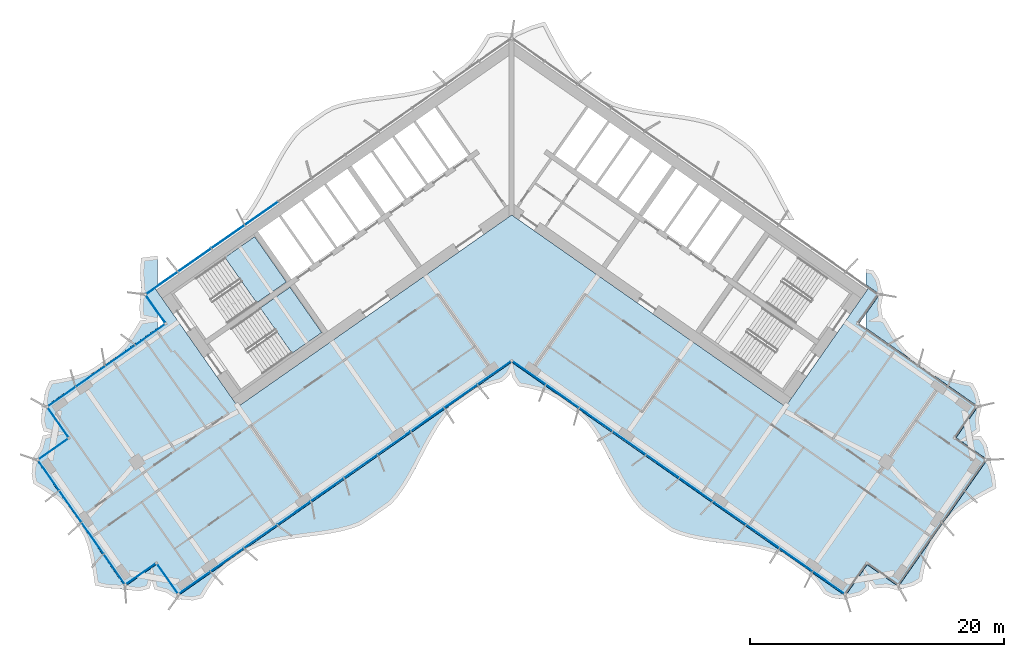
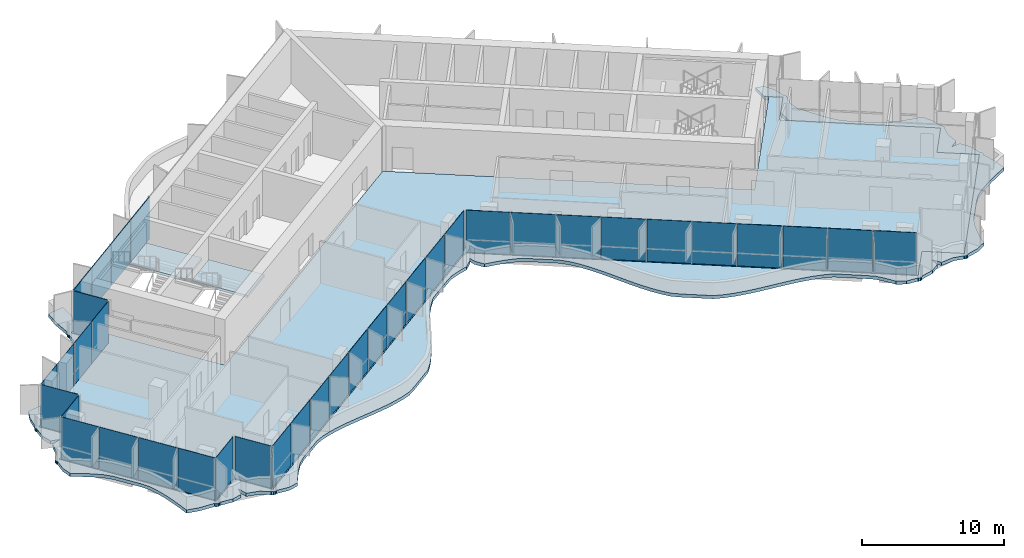
# One storey, part 12 of 23: 37 plates, 4 slabs, 4 elements without a shape of their own.
"""IFC4 building model written with IfcOpenShell, lengths in metres."""

from ifc_helpers import new_model, si_unit, direction, frame, origin, origin_2d, place, context, subcontext, project, spatial, polyline, rectangle, outline, extrude, material, layer, layer_set, type_object, element, aggregate, save


model = new_model("IFC4")

# Units and contexts
model_context = context("Model", 3, precision=1e-05, world=origin(), true_north=direction((0.0, 1.0)))
body_context = subcontext(model_context, "Body", "Model", "MODEL_VIEW")
ifc_project = project(units=[si_unit("LENGTHUNIT", "METRE"), si_unit("AREAUNIT", "SQUARE_METRE"), si_unit("VOLUMEUNIT", "CUBIC_METRE"), si_unit("PLANEANGLEUNIT", "RADIAN"), si_unit("MASSUNIT", "GRAM", prefix="KILO")], contexts=[model_context])

# Site, building, storey
site_placement = place(None, origin())
site = spatial("IfcSite", under=ifc_project, at=site_placement, CompositionType="ELEMENT")
building_placement = place(site_placement, origin())
building = spatial("IfcBuilding", under=site, at=building_placement, Name="Tel Ilan Convention Tower", CompositionType="ELEMENT")
storey_placement = place(building_placement, frame((0.0, 0.0, 174.89990234375)))
storey = spatial("IfcBuildingStorey", under=building, at=storey_placement, Name="L40", CompositionType="ELEMENT", Elevation=174.89990234375)

# Curtain wall, plates
ifc_material_1 = material(Name="Aluminium, bronze anodised", Category="aluminium")
curtain_wall_type_1 = type_object("IfcCurtainWallType", Name="CW4 STICK CURTAIN WALL, OFFICE TINTED GLASS", PredefinedType="NOTDEFINED", material=ifc_material_1)
curtain_wall_1_placement = place(storey_placement, origin())
curtain_wall_1 = element("IfcCurtainWall", 1, at=curtain_wall_1_placement, inside=storey, type_object=curtain_wall_type_1, Name="Curtain wall CW4-31.02", PredefinedType="NOTDEFINED")
ifc_material_2 = material(Name="Glass, bronze tinted, two-ply", Category="glass")
ifc_layer_1 = layer(ifc_material_2, 0.028076171875)
ifc_layer_set_1 = layer_set([ifc_layer_1], Name="CW GLASS PANEL 28")
plate_type_1 = type_object("IfcPlateType", Name="CW GLASS PANEL 28", PredefinedType="CURTAIN_PANEL", material=ifc_layer_set_1)
plate_1_placement = place(storey_placement, frame((-28.450927734375, -10.6435546875, 0.0), z_axis=(0.0, 0.0, 1.0), x_axis=(-0.819152044289, -0.573576436351, 0.0)))
plate_1 = element("IfcPlate", 2, at=plate_1_placement, type_object=plate_type_1, Name="Glass panel", PredefinedType="CURTAIN_PANEL", context=body_context, shape_type="SweptSolid", body=[
    extrude(rectangle(XDim=2.819091796875, YDim=0.028076171875, at=origin_2d()), origin(), (0.0, 0.0, 1.0), 3.6201171875),
])
plate_2_placement = place(storey_placement, frame((-30.79736328125, -12.28662109375, 0.0), z_axis=(0.0, 0.0, 1.0), x_axis=(-0.819152044289, -0.573576436351, 0.0)))
plate_2 = element("IfcPlate", 3, at=plate_2_placement, type_object=plate_type_1, Name="Glass panel", PredefinedType="CURTAIN_PANEL", context=body_context, shape_type="SweptSolid", body=[
    extrude(rectangle(XDim=2.7900390625, YDim=0.028076171875, at=origin_2d()), origin(), (0.0, 0.0, 1.0), 3.6201171875),
])
plate_3_placement = place(storey_placement, frame((-33.1318359375, -13.92138671875, 0.0), z_axis=(0.0, 0.0, 1.0), x_axis=(-0.819152044289, -0.573576436351, 0.0)))
plate_3 = element("IfcPlate", 4, at=plate_3_placement, type_object=plate_type_1, Name="Glass panel", PredefinedType="CURTAIN_PANEL", context=body_context, shape_type="SweptSolid", body=[
    extrude(rectangle(XDim=2.7900390625, YDim=0.028076171875, at=origin_2d()), origin(), (0.0, 0.0, 1.0), 3.6201171875),
])
plate_4_placement = place(storey_placement, frame((-35.427978515625, -15.529052734375, 0.0), z_axis=(0.0, 0.0, 1.0), x_axis=(-0.819152044289, -0.573576436351, 0.0)))
plate_4 = element("IfcPlate", 5, at=plate_4_placement, type_object=plate_type_1, Name="Glass panel", PredefinedType="CURTAIN_PANEL", context=body_context, shape_type="SweptSolid", body=[
    extrude(rectangle(XDim=2.696044921875, YDim=0.028076171875, at=origin_2d()), origin(), (0.0, 0.0, 1.0), 3.6201171875),
])
plate_5_placement = place(storey_placement, frame((-35.713623046875, -17.51318359375, 0.0), z_axis=(0.0, 0.0, 1.0), x_axis=(0.573576436351, -0.819152044289, 0.0)))
plate_5 = element("IfcPlate", 6, at=plate_5_placement, type_object=plate_type_1, Name="Glass panel", PredefinedType="CURTAIN_PANEL", context=body_context, shape_type="SweptSolid", body=[
    extrude(rectangle(XDim=2.875, YDim=0.028076171875, at=origin_2d()), origin(), (0.0, 0.0, 1.0), 3.6201171875),
])
plate_6_placement = place(storey_placement, frame((-36.09130859375, -19.656005859375, 0.0), z_axis=(0.0, 0.0, 1.0), x_axis=(-0.819152044289, -0.573576436351, 0.0)))
plate_6 = element("IfcPlate", 7, at=plate_6_placement, type_object=plate_type_1, Name="Glass panel", PredefinedType="CURTAIN_PANEL", context=body_context, shape_type="SweptSolid", body=[
    extrude(rectangle(XDim=2.875, YDim=0.028076171875, at=origin_2d()), origin(), (0.0, 0.0, 1.0), 3.6201171875),
])
plate_7_placement = place(storey_placement, frame((-36.4443359375, -21.699951171875, 0.0), z_axis=(0.0, 0.0, 1.0), x_axis=(0.573576436351, -0.819152044289, 0.0)))
plate_7 = element("IfcPlate", 8, at=plate_7_placement, type_object=plate_type_1, Name="Glass panel", PredefinedType="CURTAIN_PANEL", context=body_context, shape_type="SweptSolid", body=[
    extrude(rectangle(XDim=2.89599609375, YDim=0.028076171875, at=origin_2d()), origin(), (0.0, 0.0, 1.0), 3.6201171875),
])
plate_8_placement = place(storey_placement, frame((-34.721923828125, -24.159912109375, 0.0), z_axis=(0.0, 0.0, 1.0), x_axis=(0.573576436351, -0.819152044289, 0.0)))
plate_8 = element("IfcPlate", 9, at=plate_8_placement, type_object=plate_type_1, Name="Glass panel", PredefinedType="CURTAIN_PANEL", context=body_context, shape_type="SweptSolid", body=[
    extrude(rectangle(XDim=2.989990234375, YDim=0.028076171875, at=origin_2d()), origin(), (0.0, 0.0, 1.0), 3.6201171875),
])
plate_9_placement = place(storey_placement, frame((-32.972412109375, -26.658203125, 0.0), z_axis=(0.0, 0.0, 1.0), x_axis=(0.573576436351, -0.819152044289, 0.0)))
plate_9 = element("IfcPlate", 10, at=plate_9_placement, type_object=plate_type_1, Name="Glass panel", PredefinedType="CURTAIN_PANEL", context=body_context, shape_type="SweptSolid", body=[
    extrude(rectangle(XDim=2.989990234375, YDim=0.028076171875, at=origin_2d()), origin(), (0.0, 0.0, 1.0), 3.6201171875),
])
plate_10_placement = place(storey_placement, frame((-31.25, -29.1181640625, 0.0), z_axis=(0.0, 0.0, 1.0), x_axis=(0.573576436351, -0.819152044289, 0.0)))
plate_10 = element("IfcPlate", 11, at=plate_10_placement, type_object=plate_type_1, Name="Glass panel", PredefinedType="CURTAIN_PANEL", context=body_context, shape_type="SweptSolid", body=[
    extrude(rectangle(XDim=2.89599609375, YDim=0.028076171875, at=origin_2d()), origin(), (0.0, 0.0, 1.0), 3.6201171875),
])
plate_11_placement = place(storey_placement, frame((-29.20849609375, -29.48583984375, 0.0), z_axis=(0.0, 0.0, 1.0), x_axis=(0.819152044289, 0.573576436351, 0.0)))
plate_11 = element("IfcPlate", 12, at=plate_11_placement, type_object=plate_type_1, Name="Glass panel", PredefinedType="CURTAIN_PANEL", context=body_context, shape_type="SweptSolid", body=[
    extrude(rectangle(XDim=2.875, YDim=0.028076171875, at=origin_2d()), origin(), (0.0, 0.0, 1.0), 3.6201171875),
])
plate_12_placement = place(storey_placement, frame((-27.065673828125, -29.863525390625, 0.0), z_axis=(0.0, 0.0, 1.0), x_axis=(0.573576436351, -0.819152044289, 0.0)))
plate_12 = element("IfcPlate", 13, at=plate_12_placement, type_object=plate_type_1, Name="Glass panel", PredefinedType="CURTAIN_PANEL", context=body_context, shape_type="SweptSolid", body=[
    extrude(rectangle(XDim=2.875, YDim=0.028076171875, at=origin_2d()), origin(), (0.0, 0.0, 1.0), 3.6201171875),
])
plate_13_placement = place(storey_placement, frame((-24.958251953125, -30.172119140625, 0.0), z_axis=(0.0, 0.0, 1.0), x_axis=(0.819152044289, 0.573576436351, 0.0)))
plate_13 = element("IfcPlate", 14, at=plate_13_placement, type_object=plate_type_1, Name="Glass panel", PredefinedType="CURTAIN_PANEL", context=body_context, shape_type="SweptSolid", body=[
    extrude(rectangle(XDim=3.05078125, YDim=0.028076171875, at=origin_2d()), origin(), (0.0, 0.0, 1.0), 3.6201171875),
])
plate_14_placement = place(storey_placement, frame((-22.37158203125, -28.36083984375, 0.0), z_axis=(0.0, 0.0, 1.0), x_axis=(0.819152044289, 0.573576436351, 0.0)))
plate_14 = element("IfcPlate", 15, at=plate_14_placement, type_object=plate_type_1, Name="Glass panel", PredefinedType="CURTAIN_PANEL", context=body_context, shape_type="SweptSolid", body=[
    extrude(rectangle(XDim=3.144775390625, YDim=0.028076171875, at=origin_2d()), origin(), (0.0, 0.0, 1.0), 3.6201171875),
])
plate_15_placement = place(storey_placement, frame((-19.746337890625, -26.522705078125, 0.0), z_axis=(0.0, 0.0, 1.0), x_axis=(0.819152044289, 0.573576436351, 0.0)))
plate_15 = element("IfcPlate", 16, at=plate_15_placement, type_object=plate_type_1, Name="Glass panel", PredefinedType="CURTAIN_PANEL", context=body_context, shape_type="SweptSolid", body=[
    extrude(rectangle(XDim=3.144775390625, YDim=0.028076171875, at=origin_2d()), origin(), (0.0, 0.0, 1.0), 3.6201171875),
])
plate_16_placement = place(storey_placement, frame((-17.12109375, -24.684326171875, 0.0), z_axis=(0.0, 0.0, 1.0), x_axis=(0.819152044289, 0.573576436351, 0.0)))
plate_16 = element("IfcPlate", 17, at=plate_16_placement, type_object=plate_type_1, Name="Glass panel", PredefinedType="CURTAIN_PANEL", context=body_context, shape_type="SweptSolid", body=[
    extrude(rectangle(XDim=3.144775390625, YDim=0.028076171875, at=origin_2d()), origin(), (0.0, 0.0, 1.0), 3.6201171875),
])
plate_17_placement = place(storey_placement, frame((-14.49609375, -22.84619140625, 0.0), z_axis=(0.0, 0.0, 1.0), x_axis=(0.819152044289, 0.573576436351, 0.0)))
plate_17 = element("IfcPlate", 18, at=plate_17_placement, type_object=plate_type_1, Name="Glass panel", PredefinedType="CURTAIN_PANEL", context=body_context, shape_type="SweptSolid", body=[
    extrude(rectangle(XDim=3.144775390625, YDim=0.028076171875, at=origin_2d()), origin(), (0.0, 0.0, 1.0), 3.6201171875),
])
plate_18_placement = place(storey_placement, frame((-11.870849609375, -21.008056640625, 0.0), z_axis=(0.0, 0.0, 1.0), x_axis=(0.819152044289, 0.573576436351, 0.0)))
plate_18 = element("IfcPlate", 19, at=plate_18_placement, type_object=plate_type_1, Name="Glass panel", PredefinedType="CURTAIN_PANEL", context=body_context, shape_type="SweptSolid", body=[
    extrude(rectangle(XDim=3.144775390625, YDim=0.028076171875, at=origin_2d()), origin(), (0.0, 0.0, 1.0), 3.6201171875),
])
plate_19_placement = place(storey_placement, frame((-9.24560546875, -19.169921875, 0.0), z_axis=(0.0, 0.0, 1.0), x_axis=(0.819152044289, 0.573576436351, 0.0)))
plate_19 = element("IfcPlate", 20, at=plate_19_placement, type_object=plate_type_1, Name="Glass panel", PredefinedType="CURTAIN_PANEL", context=body_context, shape_type="SweptSolid", body=[
    extrude(rectangle(XDim=3.144775390625, YDim=0.028076171875, at=origin_2d()), origin(), (0.0, 0.0, 1.0), 3.6201171875),
])
plate_20_placement = place(storey_placement, frame((-6.620361328125, -17.331787109375, 0.0), z_axis=(0.0, 0.0, 1.0), x_axis=(0.819152044289, 0.573576436351, 0.0)))
plate_20 = element("IfcPlate", 21, at=plate_20_placement, type_object=plate_type_1, Name="Glass panel", PredefinedType="CURTAIN_PANEL", context=body_context, shape_type="SweptSolid", body=[
    extrude(rectangle(XDim=3.144775390625, YDim=0.028076171875, at=origin_2d()), origin(), (0.0, 0.0, 1.0), 3.6201171875),
])
plate_21_placement = place(storey_placement, frame((-3.9951171875, -15.493408203125, 0.0), z_axis=(0.0, 0.0, 1.0), x_axis=(0.819152044289, 0.573576436351, 0.0)))
plate_21 = element("IfcPlate", 22, at=plate_21_placement, type_object=plate_type_1, Name="Glass panel", PredefinedType="CURTAIN_PANEL", context=body_context, shape_type="SweptSolid", body=[
    extrude(rectangle(XDim=3.144775390625, YDim=0.028076171875, at=origin_2d()), origin(), (0.0, 0.0, 1.0), 3.6201171875),
])
plate_22_placement = place(storey_placement, frame((-1.370361328125, -13.655517578125, 0.0), z_axis=(0.0, 0.0, 1.0), x_axis=(0.819152044289, 0.573576436351, 0.0)))
plate_22 = element("IfcPlate", 23, at=plate_22_placement, type_object=plate_type_1, Name="Glass panel", PredefinedType="CURTAIN_PANEL", context=body_context, shape_type="SweptSolid", body=[
    extrude(rectangle(XDim=3.143798828125, YDim=0.028076171875, at=origin_2d()), origin(), (0.0, 0.0, 1.0), 3.6201171875),
])
plate_23_placement = place(storey_placement, frame((1.3818359375, -13.66357421875, 0.0), z_axis=(0.0, 0.0, 1.0), x_axis=(0.819152044289, -0.573576436351, 0.0)))
plate_23 = element("IfcPlate", 24, at=plate_23_placement, type_object=plate_type_1, Name="Glass panel", PredefinedType="CURTAIN_PANEL", context=body_context, shape_type="SweptSolid", body=[
    extrude(rectangle(XDim=3.11572265625, YDim=0.028076171875, at=origin_2d()), origin(), (0.0, 0.0, 1.0), 3.6201171875),
])
plate_24_placement = place(storey_placement, frame((3.9951171875, -15.493408203125, 0.0), z_axis=(0.0, 0.0, 1.0), x_axis=(0.819152044289, -0.573576436351, 0.0)))
plate_24 = element("IfcPlate", 25, at=plate_24_placement, type_object=plate_type_1, Name="Glass panel", PredefinedType="CURTAIN_PANEL", context=body_context, shape_type="SweptSolid", body=[
    extrude(rectangle(XDim=3.144775390625, YDim=0.028076171875, at=origin_2d()), origin(), (0.0, 0.0, 1.0), 3.6201171875),
])
plate_25_placement = place(storey_placement, frame((6.620361328125, -17.331787109375, 0.0), z_axis=(0.0, 0.0, 1.0), x_axis=(0.819152044289, -0.573576436351, 0.0)))
plate_25 = element("IfcPlate", 26, at=plate_25_placement, type_object=plate_type_1, Name="Glass panel", PredefinedType="CURTAIN_PANEL", context=body_context, shape_type="SweptSolid", body=[
    extrude(rectangle(XDim=3.144775390625, YDim=0.028076171875, at=origin_2d()), origin(), (0.0, 0.0, 1.0), 3.6201171875),
])
plate_26_placement = place(storey_placement, frame((9.24560546875, -19.169921875, 0.0), z_axis=(0.0, 0.0, 1.0), x_axis=(0.819152044289, -0.573576436351, 0.0)))
plate_26 = element("IfcPlate", 27, at=plate_26_placement, type_object=plate_type_1, Name="Glass panel", PredefinedType="CURTAIN_PANEL", context=body_context, shape_type="SweptSolid", body=[
    extrude(rectangle(XDim=3.144775390625, YDim=0.028076171875, at=origin_2d()), origin(), (0.0, 0.0, 1.0), 3.6201171875),
])
plate_27_placement = place(storey_placement, frame((11.870849609375, -21.008056640625, 0.0), z_axis=(0.0, 0.0, 1.0), x_axis=(0.819152044289, -0.573576436351, 0.0)))
plate_27 = element("IfcPlate", 28, at=plate_27_placement, type_object=plate_type_1, Name="Glass panel", PredefinedType="CURTAIN_PANEL", context=body_context, shape_type="SweptSolid", body=[
    extrude(rectangle(XDim=3.144775390625, YDim=0.028076171875, at=origin_2d()), origin(), (0.0, 0.0, 1.0), 3.6201171875),
])
plate_28_placement = place(storey_placement, frame((14.49609375, -22.84619140625, 0.0), z_axis=(0.0, 0.0, 1.0), x_axis=(0.819152044289, -0.573576436351, 0.0)))
plate_28 = element("IfcPlate", 29, at=plate_28_placement, type_object=plate_type_1, Name="Glass panel", PredefinedType="CURTAIN_PANEL", context=body_context, shape_type="SweptSolid", body=[
    extrude(rectangle(XDim=3.144775390625, YDim=0.028076171875, at=origin_2d()), origin(), (0.0, 0.0, 1.0), 3.6201171875),
])
plate_29_placement = place(storey_placement, frame((17.12109375, -24.684326171875, 0.0), z_axis=(0.0, 0.0, 1.0), x_axis=(0.819152044289, -0.573576436351, 0.0)))
plate_29 = element("IfcPlate", 30, at=plate_29_placement, type_object=plate_type_1, Name="Glass panel", PredefinedType="CURTAIN_PANEL", context=body_context, shape_type="SweptSolid", body=[
    extrude(rectangle(XDim=3.144775390625, YDim=0.028076171875, at=origin_2d()), origin(), (0.0, 0.0, 1.0), 3.6201171875),
])
plate_30_placement = place(storey_placement, frame((19.746337890625, -26.522705078125, 0.0), z_axis=(0.0, 0.0, 1.0), x_axis=(0.819152044289, -0.573576436351, 0.0)))
plate_30 = element("IfcPlate", 31, at=plate_30_placement, type_object=plate_type_1, Name="Glass panel", PredefinedType="CURTAIN_PANEL", context=body_context, shape_type="SweptSolid", body=[
    extrude(rectangle(XDim=3.144775390625, YDim=0.028076171875, at=origin_2d()), origin(), (0.0, 0.0, 1.0), 3.6201171875),
])
plate_31_placement = place(storey_placement, frame((22.37158203125, -28.36083984375, 0.0), z_axis=(0.0, 0.0, 1.0), x_axis=(0.819152044289, -0.573576436351, 0.0)))
plate_31 = element("IfcPlate", 32, at=plate_31_placement, type_object=plate_type_1, Name="Glass panel", PredefinedType="CURTAIN_PANEL", context=body_context, shape_type="SweptSolid", body=[
    extrude(rectangle(XDim=3.144775390625, YDim=0.028076171875, at=origin_2d()), origin(), (0.0, 0.0, 1.0), 3.6201171875),
])
plate_32_placement = place(storey_placement, frame((24.958251953125, -30.172119140625, 0.0), z_axis=(0.0, 0.0, 1.0), x_axis=(0.819152044289, -0.573576436351, 0.0)))
plate_32 = element("IfcPlate", 33, at=plate_32_placement, type_object=plate_type_1, Name="Glass panel", PredefinedType="CURTAIN_PANEL", context=body_context, shape_type="SweptSolid", body=[
    extrude(rectangle(XDim=3.05078125, YDim=0.028076171875, at=origin_2d()), origin(), (0.0, 0.0, 1.0), 3.6201171875),
])
aggregate(curtain_wall_1, [plate_1, plate_2, plate_3, plate_4, plate_5, plate_6, plate_7, plate_8, plate_9, plate_10, plate_11, plate_12, plate_13, plate_14, plate_15, plate_16, plate_17, plate_18, plate_19, plate_20, plate_21, plate_22, plate_23, plate_24, plate_25, plate_26, plate_27, plate_28, plate_29, plate_30, plate_31, plate_32])

ifc_material_3 = material(Name="Aluminium, bronze anodised", Category="aluminium")
curtain_wall_type_2 = type_object("IfcCurtainWallType", Name="CW2 STICK CURTAIN WALL, SPANDREL PANELS", PredefinedType="NOTDEFINED", material=ifc_material_3)
curtain_wall_2_placement = place(storey_placement, origin())
curtain_wall_2 = element("IfcCurtainWall", 34, at=curtain_wall_2_placement, inside=storey, type_object=curtain_wall_type_2, Name="Curtain wall CW2-31.01", PredefinedType="NOTDEFINED")
ifc_material_4 = material(Name="Aluminium composite panel, bronze anodised", Category="aluminium")
ifc_layer_2 = layer(ifc_material_4, 0.06005859375)
ifc_layer_set_2 = layer_set([ifc_layer_2], Name="CW SPANDREL PANEL 60")
plate_type_2 = type_object("IfcPlateType", Name="CW SPANDREL PANEL 60", PredefinedType="CURTAIN_PANEL", material=ifc_layer_set_2)
plate_33_placement = place(storey_placement, frame((-19.687255859375, -1.089111328125, 0.0), z_axis=(0.0, 0.0, 1.0), x_axis=(-0.819152044289, -0.573576436351, 0.0)))
plate_33 = element("IfcPlate", 35, at=plate_33_placement, type_object=plate_type_2, Name="Spandrel panel", PredefinedType="CURTAIN_PANEL", context=body_context, shape_type="SweptSolid", body=[
    extrude(rectangle(XDim=3.15380859375, YDim=0.06005859375, at=origin_2d()), origin(), (0.0, 0.0, 1.0), 3.6201171875),
])
plate_34_placement = place(storey_placement, frame((-22.31982421875, -2.9326171875, 0.0), z_axis=(0.0, 0.0, 1.0), x_axis=(-0.819152044289, -0.573576436351, 0.0)))
plate_34 = element("IfcPlate", 36, at=plate_34_placement, type_object=plate_type_2, Name="Spandrel panel", PredefinedType="CURTAIN_PANEL", context=body_context, shape_type="SweptSolid", body=[
    extrude(rectangle(XDim=3.15380859375, YDim=0.06005859375, at=origin_2d()), origin(), (0.0, 0.0, 1.0), 3.6201171875),
])
plate_35_placement = place(storey_placement, frame((-24.95263671875, -4.77587890625, 0.0), z_axis=(0.0, 0.0, 1.0), x_axis=(-0.819152044289, -0.573576436351, 0.0)))
plate_35 = element("IfcPlate", 37, at=plate_35_placement, type_object=plate_type_2, Name="Spandrel panel", PredefinedType="CURTAIN_PANEL", context=body_context, shape_type="SweptSolid", body=[
    extrude(rectangle(XDim=3.15380859375, YDim=0.06005859375, at=origin_2d()), origin(), (0.0, 0.0, 1.0), 3.6201171875),
])
plate_36_placement = place(storey_placement, frame((-27.5400390625, -6.587646484375, 0.0), z_axis=(0.0, 0.0, 1.0), x_axis=(-0.819152044289, -0.573576436351, 0.0)))
plate_36 = element("IfcPlate", 38, at=plate_36_placement, type_object=plate_type_2, Name="Spandrel panel", PredefinedType="CURTAIN_PANEL", context=body_context, shape_type="SweptSolid", body=[
    extrude(rectangle(XDim=3.0439453125, YDim=0.06005859375, at=origin_2d()), origin(), (0.0, 0.0, 1.0), 3.6201171875),
])
plate_37_placement = place(storey_placement, frame((-28.033935546875, -8.60546875, 0.0), z_axis=(0.0, 0.0, 1.0), x_axis=(0.573576436351, -0.819152044289, 0.0)))
plate_37 = element("IfcPlate", 39, at=plate_37_placement, type_object=plate_type_2, Name="Spandrel panel", PredefinedType="CURTAIN_PANEL", context=body_context, shape_type="SweptSolid", body=[
    extrude(rectangle(XDim=2.658935546875, YDim=0.06005859375, at=origin_2d()), origin(), (0.0, 0.0, 1.0), 3.6201171875),
])
aggregate(curtain_wall_2, [plate_33, plate_34, plate_35, plate_36, plate_37])

# Stair, slab
ifc_material_5 = material(Name="Concrete C40/50", Category="concrete")
stair_type = type_object("IfcStairType", Name="Pressurised Exit Stair 22 risers 177 mm", PredefinedType="HALF_TURN_STAIR", material=ifc_material_5)
stair_1_placement = place(storey_placement, origin())
stair_1 = element("IfcStair", 40, at=stair_1_placement, inside=storey, type_object=stair_type, Name="L40 Pressurised Stair S1", PredefinedType="HALF_TURN_STAIR")
ifc_material_6 = material(Name="Concrete C40/50", Category="concrete")
ifc_layer_3 = layer(ifc_material_6, 0.199951171875)
ifc_layer_set_3 = layer_set([ifc_layer_3], Name="Concrete Stair Landing 200 mm C40/50")
slab_type_1 = type_object("IfcSlabType", Name="Concrete Stair Landing 200 mm", PredefinedType="LANDING", material=ifc_layer_set_3)
slab_1_placement = place(storey_placement, frame((0.0, 0.0, 1.75)))
slab_1 = element("IfcSlab", 41, at=slab_1_placement, type_object=slab_type_1, Name="S1 landing 1", PredefinedType="LANDING", context=body_context, shape_type="SweptSolid", body=[
    extrude(outline(polyline([(-20.066650390625, -8.130126953125), (-17.7314453125, -6.494873046875), (-20.226318359375, -2.931640625), (-22.561767578125, -4.566650390625), (-20.066650390625, -8.130126953125)])), origin(), (0.0, 0.0, 1.0), 0.2001953125),
])
aggregate(stair_1, [slab_1])

stair_2_placement = place(storey_placement, origin())
stair_2 = element("IfcStair", 42, at=stair_2_placement, inside=storey, type_object=stair_type, Name="L40 Pressurised Stair S2", PredefinedType="HALF_TURN_STAIR")
slab_2_placement = place(storey_placement, frame((0.0, 0.0, 1.75)))
slab_2 = element("IfcSlab", 43, at=slab_2_placement, type_object=slab_type_1, Name="S2 landing 1", PredefinedType="LANDING", context=body_context, shape_type="SweptSolid", body=[
    extrude(outline(polyline([(-17.28466796875, -12.10302734375), (-14.949462890625, -10.4677734375), (-17.444580078125, -6.904541015625), (-19.77978515625, -8.53955078125), (-17.28466796875, -12.10302734375)])), origin(), (0.0, 0.0, 1.0), 0.2001953125),
])
aggregate(stair_2, [slab_2])

# Slabs
ifc_material_7 = material(Name="Concrete C40/50", Category="concrete")
ifc_layer_4 = layer(ifc_material_7, 0.280029296875)
ifc_layer_set_4 = layer_set([ifc_layer_4], Name="Edge Ledge Slab 280 mm C40/50")
slab_type_2 = type_object("IfcSlabType", Name="Edge Ledge Slab 280 mm C40/50", PredefinedType="FLOOR", material=ifc_layer_set_4)
slab_3_placement = place(storey_placement, frame((0.0, 0.0, -0.27978515625)))
element("IfcSlab", 44, at=slab_3_placement, inside=storey, type_object=slab_type_2, Name="L40 edge ledge 1", PredefinedType="FLOOR", context=body_context, shape_type="SweptSolid", body=[
    extrude(outline(polyline([(-29.29443359375, -8.548583984375), (-29.20458984375, -7.631103515625), (-29.199951171875, -7.6279296875), (-29.236083984375, -7.57373046875), (-29.2587890625, -7.458984375), (-29.236083984375, -7.34423828125), (-29.1708984375, -7.246826171875), (-29.127685546875, -7.218017578125), (-29.130859375, -7.21337890625), (-29.231689453125, -5.78515625), (-29.161865234375, -4.60107421875), (-28.33935546875, -4.49169921875), (-27.875, -4.4326171875), (-27.875, -6.7001953125), (-28.958740234375, -7.458984375), (-27.875, -9.007080078125), (-27.875, -10.1181640625), (-36.691162109375, -16.29150390625), (-34.970458984375, -18.748779296875), (-37.427978515625, -20.469482421875), (-30.43017578125, -30.46337890625), (-27.972900390625, -28.74267578125), (-26.251953125, -31.199951171875), (0.0, -12.818115234375), (26.251953125, -31.199951171875), (27.972900390625, -28.74267578125), (30.43017578125, -30.46337890625), (37.427978515625, -20.469482421875), (34.970458984375, -18.748779296875), (36.691162109375, -16.29150390625), (27.875, -10.1181640625), (27.875, -9.007080078125), (28.958740234375, -7.458984375), (27.875, -6.7001953125), (27.875, -5.485595703125), (28.465576171875, -5.595458984375), (28.894287109375, -6.267333984375), (29.130859375, -7.21337890625), (29.127685546875, -7.218017578125), (29.1708984375, -7.246826171875), (29.236083984375, -7.34423828125), (29.2587890625, -7.458984375), (29.236083984375, -7.57373046875), (29.199951171875, -7.6279296875), (29.20458984375, -7.631103515625), (29.044921875, -8.373779296875), (29.194091796875, -9.332763671875), (29.132080078125, -9.36474609375), (29.356201171875, -9.3759765625), (29.74560546875, -10.06201171875), (30.151123046875, -10.72509765625), (30.5849609375, -11.347900390625), (31.052978515625, -11.92138671875), (31.6103515625, -12.36767578125), (33.361328125, -13.59375), (34.017333984375, -13.899169921875), (34.732421875, -14.1201171875), (35.47900390625, -14.2958984375), (36.246826171875, -14.44140625), (36.63134765625, -15.134521484375), (36.86328125, -16.045654296875), (36.85986328125, -16.05029296875), (36.9033203125, -16.079345703125), (36.96826171875, -16.176513671875), (36.9912109375, -16.29150390625), (36.96826171875, -16.40625), (36.93212890625, -16.460205078125), (36.93701171875, -16.46337890625), (36.748779296875, -17.24755859375), (36.839599609375, -18.2265625), (36.20458984375, -18.665283203125), (36.905517578125, -18.6005859375), (37.3603515625, -19.258544921875), (37.599853515625, -20.223876953125), (37.5966796875, -20.228515625), (37.639892578125, -20.257568359375), (37.705078125, -20.354736328125), (37.727783203125, -20.469482421875), (37.705078125, -20.58447265625), (37.6689453125, -20.638427734375), (37.673583984375, -20.6416015625), (38.010498046875, -21.753662109375), (38.13427734375, -22.71630859375), (37.423828125, -23.09521484375), (36.7236328125, -23.48095703125), (36.052734375, -23.88720703125), (35.421630859375, -24.3212890625), (34.83984375, -24.7900390625), (34.380615234375, -25.344482421875), (33.145751953125, -27.108154296875), (32.83154296875, -27.764404296875), (32.607177734375, -28.4833984375), (32.42919921875, -29.234619140625), (32.28369140625, -30.0087890625), (31.594482421875, -30.402587890625), (30.676025390625, -30.635498046875), (30.67138671875, -30.632080078125), (30.642333984375, -30.67529296875), (30.544921875, -30.740478515625), (30.43017578125, -30.76318359375), (30.3154296875, -30.740478515625), (30.261474609375, -30.704345703125), (30.25830078125, -30.708984375), (29.47412109375, -30.52099609375), (28.4951171875, -30.61181640625), (28.056396484375, -29.976806640625), (28.12109375, -30.677490234375), (27.463134765625, -31.132568359375), (26.497802734375, -31.3720703125), (26.4931640625, -31.368896484375), (26.464111328125, -31.412109375), (26.36669921875, -31.477294921875), (26.251953125, -31.5), (26.13720703125, -31.477294921875), (26.083251953125, -31.441162109375), (26.080078125, -31.44580078125), (25.2314453125, -31.358154296875), (24.565673828125, -31.009765625), (24.111328125, -30.35888671875), (23.619384765625, -29.76220703125), (23.02734375, -29.308349609375), (21.19580078125, -28.02587890625), (20.475830078125, -27.7548828125), (19.716064453125, -27.540283203125), (18.924072265625, -27.372314453125), (18.10791015625, -27.23828125), (17.27685546875, -27.1259765625), (16.44091796875, -27.0205078125), (15.610107421875, -26.9072265625), (14.794677734375, -26.7724609375), (14.003662109375, -26.602783203125), (13.245361328125, -26.386474609375), (12.530029296875, -26.108642578125), (10.698486328125, -24.826171875), (10.110107421875, -24.3671875), (9.61962890625, -23.768310546875), (9.166748046875, -23.115478515625), (8.744384765625, -22.41943359375), (8.343994140625, -21.69189453125), (7.956298828125, -20.9462890625), (7.57080078125, -20.197509765625), (7.177490234375, -19.45947265625), (6.76708984375, -18.74658203125), (6.329833984375, -18.071533203125), (5.8583984375, -17.445556640625), (5.322509765625, -16.9111328125), (3.490966796875, -15.62890625), (2.833251953125, -15.268798828125), (2.093017578125, -15.0263671875), (1.31689453125, -14.835693359375), (0.51220703125, -14.685546875), (0.06640625, -14.0224609375), (-0.055419921875, -13.53271484375), (-0.200439453125, -13.831298828125), (-0.755615234375, -14.337890625), (-1.5224609375, -14.5419921875), (-2.251708984375, -14.800048828125), (-2.880615234375, -15.201416015625), (-4.7119140625, -16.48388671875), (-5.212890625, -17.067626953125), (-5.67431640625, -17.708251953125), (-6.103271484375, -18.39501953125), (-6.508056640625, -19.1162109375), (-6.898193359375, -19.858642578125), (-7.283203125, -20.608154296875), (-7.673583984375, -21.35009765625), (-8.0791015625, -22.0703125), (-8.509033203125, -22.755615234375), (-8.9716796875, -23.39404296875), (-9.4775390625, -23.97119140625), (-11.30908203125, -25.253662109375), (-11.941650390625, -25.649658203125), (-12.672119140625, -25.90576171875), (-13.4404296875, -26.10791015625), (-14.239013671875, -26.266845703125), (-15.059814453125, -26.394287109375), (-15.892822265625, -26.503662109375), (-16.728515625, -26.609619140625), (-17.556396484375, -26.726806640625), (-18.36669921875, -26.86865234375), (-19.150634765625, -27.048583984375), (-19.900146484375, -27.277587890625), (-20.58544921875, -27.598388671875), (-22.4169921875, -28.880859375), (-22.980224609375, -29.375732421875), (-23.4609375, -29.98828125), (-23.90576171875, -30.652587890625), (-24.322021484375, -31.357421875), (-25.097412109375, -31.54931640625), (-26.080078125, -31.44580078125), (-26.083251953125, -31.441162109375), (-26.13720703125, -31.477294921875), (-26.251953125, -31.5), (-26.36669921875, -31.477294921875), (-26.464111328125, -31.412109375), (-26.4931640625, -31.368896484375), (-26.497802734375, -31.3720703125), (-27.170166015625, -30.92724609375), (-28.12109375, -30.677490234375), (-28.31640625, -29.930908203125), (-28.4951171875, -30.61181640625), (-29.26904296875, -30.814208984375), (-30.25830078125, -30.708984375), (-30.261474609375, -30.704345703125), (-30.3154296875, -30.740478515625), (-30.43017578125, -30.76318359375), (-30.544921875, -30.740478515625), (-30.642333984375, -30.67529296875), (-30.67138671875, -30.632080078125), (-30.676025390625, -30.635498046875), (-31.836181640625, -30.57177734375), (-32.782958984375, -30.358642578125), (-32.89599609375, -29.5615234375), (-33.01904296875, -28.771728515625), (-33.17138671875, -28.002197265625), (-33.363525390625, -27.2607421875), (-33.60498046875, -26.5537109375), (-33.968994140625, -25.9326171875), (-35.203857421875, -24.1689453125), (-35.712890625, -23.649169921875), (-36.311767578125, -23.1923828125), (-36.95703125, -22.768310546875), (-37.634765625, -22.36669921875), (-37.76904296875, -21.584716796875), (-37.673583984375, -20.6416015625), (-37.6689453125, -20.638427734375), (-37.705078125, -20.58447265625), (-37.727783203125, -20.469482421875), (-37.705078125, -20.354736328125), (-37.639892578125, -20.257568359375), (-37.5966796875, -20.228515625), (-37.599853515625, -20.223876953125), (-37.1552734375, -19.551513671875), (-36.905517578125, -18.6005859375), (-36.15869140625, -18.4052734375), (-36.839599609375, -18.2265625), (-37.0419921875, -17.45263671875), (-36.93701171875, -16.46337890625), (-36.93212890625, -16.460205078125), (-36.96826171875, -16.40625), (-36.9912109375, -16.29150390625), (-36.96826171875, -16.176513671875), (-36.9033203125, -16.079345703125), (-36.85986328125, -16.05029296875), (-36.86328125, -16.045654296875), (-36.686767578125, -15.055419921875), (-36.35986328125, -14.280029296875), (-35.58203125, -14.148681640625), (-34.8203125, -13.994384765625), (-34.086669921875, -13.7998046875), (-33.387451171875, -13.55615234375), (-32.777587890625, -13.18505859375), (-31.026611328125, -11.958984375), (-30.515380859375, -11.447021484375), (-30.06298828125, -10.850830078125), (-29.642578125, -10.208984375), (-29.2431640625, -9.537353515625), (-28.64111328125, -9.44189453125), (-29.194091796875, -9.332763671875), (-29.29443359375, -8.548583984375)])), origin(), (0.0, 0.0, 1.0), 0.27978515625),
])
ifc_material_8 = material(Name="Concrete C40/50", Category="concrete")
ifc_layer_5 = layer(ifc_material_8, 0.280029296875)
ifc_layer_set_5 = layer_set([ifc_layer_5], Name="Flat Plate Floor Slab 280 mm C40/50")
slab_type_3 = type_object("IfcSlabType", Name="Flat Plate Floor Slab 280 mm C40/50", PredefinedType="FLOOR", material=ifc_layer_set_5)
slab_4_placement = place(storey_placement, frame((0.0, 0.0, -0.27978515625)))
element("IfcSlab", 45, at=slab_4_placement, inside=storey, type_object=slab_type_3, Name="L40 floor slab", PredefinedType="FLOOR", context=body_context, shape_type="SweptSolid", body=[
    extrude(outline(polyline([(21.54345703125, -16.3056640625), (28.1396484375, -6.885498046875), (28.958740234375, -7.458984375), (27.352783203125, -9.752685546875), (36.691162109375, -16.29150390625), (34.970458984375, -18.748779296875), (37.427978515625, -20.469482421875), (30.43017578125, -30.46337890625), (27.972900390625, -28.74267578125), (26.251953125, -31.199951171875), (0.0, -12.818115234375), (-26.251953125, -31.199951171875), (-27.972900390625, -28.74267578125), (-30.43017578125, -30.46337890625), (-37.427978515625, -20.469482421875), (-34.970458984375, -18.748779296875), (-36.691162109375, -16.29150390625), (-27.352783203125, -9.752685546875), (-28.958740234375, -7.458984375), (-28.1396484375, -6.885498046875), (-21.54345703125, -16.3056640625), (0.0, -1.220703125), (21.54345703125, -16.3056640625)])), origin(), (0.0, 0.0, 1.0), 0.27978515625),
])

save(model, "model.ifc")
